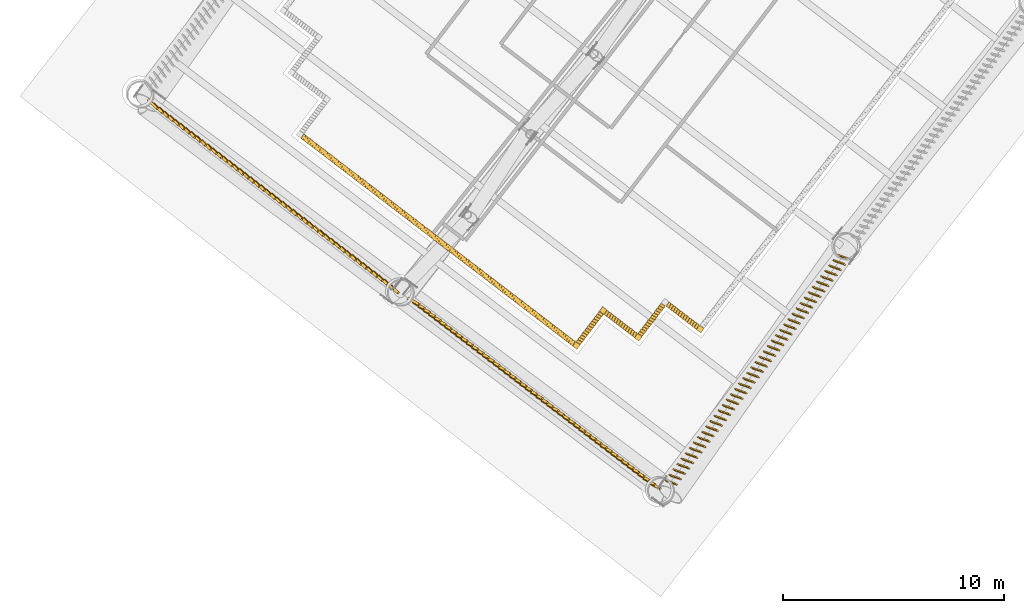
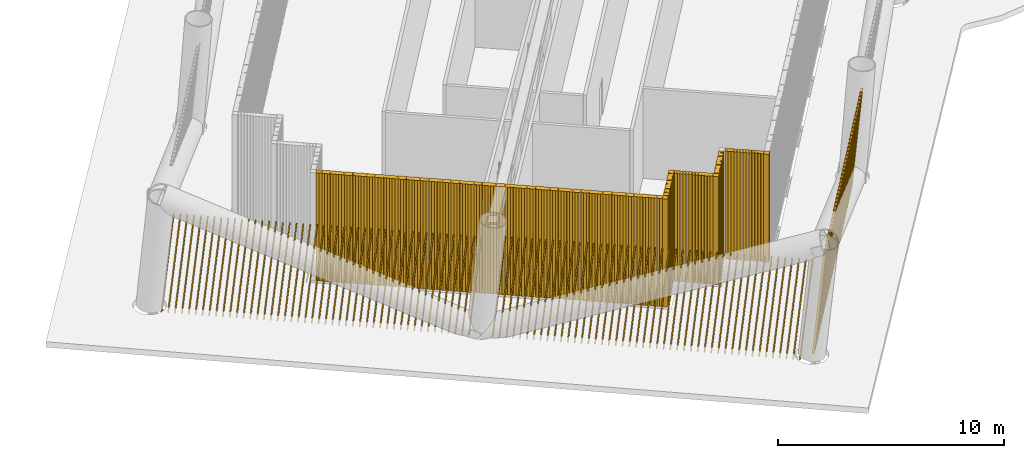
# One storey, part 35 of 48: 12 shading devices.
"""IFC4 building model written with IfcOpenShell, lengths in metres."""

from ifc_helpers import new_model, si_unit, direction, frame, frame_2d, origin, origin_2d, place, context, subcontext, project, spatial, rectangle, composite_profile, extrude, material, type_object, element, save


model = new_model("IFC4")

# Units and contexts
model_context = context("Model", 3, precision=1e-05, world=origin(), true_north=direction((0.0, 1.0)))
body_context = subcontext(model_context, "Body", "Model", "MODEL_VIEW")
ifc_project = project(units=[si_unit("LENGTHUNIT", "METRE"), si_unit("AREAUNIT", "SQUARE_METRE"), si_unit("VOLUMEUNIT", "CUBIC_METRE"), si_unit("PLANEANGLEUNIT", "RADIAN"), si_unit("MASSUNIT", "GRAM", prefix="KILO")], contexts=[model_context])

# Site, building, storey
site_placement = place(None, origin())
site = spatial("IfcSite", under=ifc_project, at=site_placement, CompositionType="ELEMENT")
building_placement = place(site_placement, origin())
building = spatial("IfcBuilding", under=site, at=building_placement, Name="Tarsis Ring Headquarters", CompositionType="ELEMENT")
storey_placement = place(building_placement, frame((0.0, 0.0, 34.0)))
storey = spatial("IfcBuildingStorey", under=building, at=storey_placement, Name="L06", CompositionType="ELEMENT", Elevation=34.0)

# Shading devices
ifc_material_1 = material(Name="Aluminium louvre", Category="aluminium")
shading_device_type_1 = type_object("IfcShadingDeviceType", Name="Plant louvre fin", PredefinedType="USERDEFINED", material=ifc_material_1)
shading_device_1_placement = place(storey_placement, frame((-36.449462890625, -34.914306640625, 0.0), z_axis=(0.0, 0.0, 1.0), x_axis=(0.794414604565, -0.607384188889, 0.0)))
element("IfcShadingDevice", 1, at=shading_device_1_placement, inside=storey, type_object=shading_device_type_1, Name="Louvre L06-11", ObjectType="Louvre", PredefinedType="USERDEFINED", context=body_context, shape_type="SweptSolid", body=[
    extrude(composite_profile([rectangle(XDim=0.1201171875, YDim=0.239990234375, at=frame_2d((0.076171875, 0.0), x_axis=(0.990268068742, 0.13917310096))), rectangle(XDim=0.1201171875, YDim=0.239990234375, at=frame_2d((0.201904296875, 0.0), x_axis=(0.990268068742, 0.13917310096))), rectangle(XDim=0.1201171875, YDim=0.239990234375, at=frame_2d((0.327880859375, 0.0), x_axis=(0.990268068742, 0.13917310096))), rectangle(XDim=0.1201171875, YDim=0.239990234375, at=frame_2d((0.45361328125, 0.0), x_axis=(0.990268068742, 0.13917310096))), rectangle(XDim=0.1201171875, YDim=0.239990234375, at=frame_2d((0.579345703125, 0.0), x_axis=(0.990268068742, 0.13917310096))), rectangle(XDim=0.1201171875, YDim=0.239990234375, at=frame_2d((0.705078125, 0.0), x_axis=(0.990268068742, 0.13917310096))), rectangle(XDim=0.1201171875, YDim=0.239990234375, at=frame_2d((0.8310546875, 0.0), x_axis=(0.990268068742, 0.13917310096))), rectangle(XDim=0.1201171875, YDim=0.239990234375, at=frame_2d((0.956787109375, 0.0), x_axis=(0.990268068742, 0.13917310096))), rectangle(XDim=0.1201171875, YDim=0.239990234375, at=frame_2d((1.08251953125, 0.0), x_axis=(0.990268068742, 0.13917310096))), rectangle(XDim=0.1201171875, YDim=0.239990234375, at=frame_2d((1.208251953125, 0.0), x_axis=(0.990268068742, 0.13917310096))), rectangle(XDim=0.1201171875, YDim=0.239990234375, at=frame_2d((1.334228515625, 0.0), x_axis=(0.990268068742, 0.13917310096))), rectangle(XDim=0.1201171875, YDim=0.239990234375, at=frame_2d((1.4599609375, 0.0), x_axis=(0.990268068742, 0.13917310096))), rectangle(XDim=0.1201171875, YDim=0.239990234375, at=frame_2d((1.585693359375, 0.0), x_axis=(0.990268068742, 0.13917310096))), rectangle(XDim=0.1201171875, YDim=0.239990234375, at=frame_2d((1.711669921875, 0.0), x_axis=(0.990268068742, 0.13917310096))), rectangle(XDim=0.1201171875, YDim=0.239990234375, at=frame_2d((1.83740234375, 0.0), x_axis=(0.990268068742, 0.13917310096))), rectangle(XDim=0.1201171875, YDim=0.239990234375, at=frame_2d((1.963134765625, 0.0), x_axis=(0.990268068742, 0.13917310096))), rectangle(XDim=0.1201171875, YDim=0.239990234375, at=frame_2d((2.0888671875, 0.0), x_axis=(0.990268068742, 0.13917310096))), rectangle(XDim=0.1201171875, YDim=0.239990234375, at=frame_2d((2.21484375, 0.0), x_axis=(0.990268068742, 0.13917310096))), rectangle(XDim=0.1201171875, YDim=0.239990234375, at=frame_2d((2.340576171875, 0.0), x_axis=(0.990268068742, 0.13917310096))), rectangle(XDim=0.1201171875, YDim=0.239990234375, at=frame_2d((2.46630859375, 0.0), x_axis=(0.990268068742, 0.13917310096))), rectangle(XDim=0.1201171875, YDim=0.239990234375, at=frame_2d((2.592041015625, 0.0), x_axis=(0.990268068742, 0.13917310096))), rectangle(XDim=0.1201171875, YDim=0.239990234375, at=frame_2d((2.718017578125, 0.0), x_axis=(0.990268068742, 0.13917310096))), rectangle(XDim=0.1201171875, YDim=0.239990234375, at=frame_2d((2.84375, 0.0), x_axis=(0.990268068742, 0.13917310096))), rectangle(XDim=0.1201171875, YDim=0.239990234375, at=frame_2d((2.969482421875, 0.0), x_axis=(0.990268068742, 0.13917310096))), rectangle(XDim=0.1201171875, YDim=0.239990234375, at=frame_2d((3.09521484375, 0.0), x_axis=(0.990268068742, 0.13917310096))), rectangle(XDim=0.1201171875, YDim=0.239990234375, at=frame_2d((3.22119140625, 0.0), x_axis=(0.990268068742, 0.13917310096))), rectangle(XDim=0.1201171875, YDim=0.239990234375, at=frame_2d((3.346923828125, 0.0), x_axis=(0.990268068742, 0.13917310096))), rectangle(XDim=0.1201171875, YDim=0.239990234375, at=frame_2d((3.47265625, 0.0), x_axis=(0.990268068742, 0.13917310096))), rectangle(XDim=0.1201171875, YDim=0.239990234375, at=frame_2d((3.5986328125, 0.0), x_axis=(0.990268068742, 0.13917310096))), rectangle(XDim=0.1201171875, YDim=0.239990234375, at=frame_2d((3.724365234375, 0.0), x_axis=(0.990268068742, 0.13917310096))), rectangle(XDim=0.1201171875, YDim=0.239990234375, at=frame_2d((3.85009765625, 0.0), x_axis=(0.990268068742, 0.13917310096))), rectangle(XDim=0.1201171875, YDim=0.239990234375, at=frame_2d((3.975830078125, 0.0), x_axis=(0.990268068742, 0.13917310096))), rectangle(XDim=0.1201171875, YDim=0.239990234375, at=frame_2d((4.101806640625, 0.0), x_axis=(0.990268068742, 0.13917310096))), rectangle(XDim=0.1201171875, YDim=0.239990234375, at=frame_2d((4.2275390625, 0.0), x_axis=(0.990268068742, 0.13917310096))), rectangle(XDim=0.1201171875, YDim=0.239990234375, at=frame_2d((4.353271484375, 0.0), x_axis=(0.990268068742, 0.13917310096))), rectangle(XDim=0.1201171875, YDim=0.239990234375, at=frame_2d((4.47900390625, 0.0), x_axis=(0.990268068742, 0.13917310096))), rectangle(XDim=0.1201171875, YDim=0.239990234375, at=frame_2d((4.60498046875, 0.0), x_axis=(0.990268068742, 0.13917310096))), rectangle(XDim=0.1201171875, YDim=0.239990234375, at=frame_2d((4.730712890625, 0.0), x_axis=(0.990268068742, 0.13917310096))), rectangle(XDim=0.1201171875, YDim=0.239990234375, at=frame_2d((4.8564453125, 0.0), x_axis=(0.990268068742, 0.13917310096))), rectangle(XDim=0.1201171875, YDim=0.239990234375, at=frame_2d((4.982421875, 0.0), x_axis=(0.990268068742, 0.13917310096))), rectangle(XDim=0.1201171875, YDim=0.239990234375, at=frame_2d((5.108154296875, 0.0), x_axis=(0.990268068742, 0.13917310096))), rectangle(XDim=0.1201171875, YDim=0.239990234375, at=frame_2d((5.23388671875, 0.0), x_axis=(0.990268068742, 0.13917310096))), rectangle(XDim=0.1201171875, YDim=0.239990234375, at=frame_2d((5.359619140625, 0.0), x_axis=(0.990268068742, 0.13917310096))), rectangle(XDim=0.1201171875, YDim=0.239990234375, at=frame_2d((5.485595703125, 0.0), x_axis=(0.990268068742, 0.13917310096))), rectangle(XDim=0.1201171875, YDim=0.239990234375, at=frame_2d((5.611328125, 0.0), x_axis=(0.990268068742, 0.13917310096))), rectangle(XDim=0.1201171875, YDim=0.239990234375, at=frame_2d((5.737060546875, 0.0), x_axis=(0.990268068742, 0.13917310096))), rectangle(XDim=0.1201171875, YDim=0.239990234375, at=frame_2d((5.86279296875, 0.0), x_axis=(0.990268068742, 0.13917310096))), rectangle(XDim=0.1201171875, YDim=0.239990234375, at=frame_2d((5.98876953125, 0.0), x_axis=(0.990268068742, 0.13917310096))), rectangle(XDim=0.1201171875, YDim=0.239990234375, at=frame_2d((6.114501953125, 0.0), x_axis=(0.990268068742, 0.13917310096))), rectangle(XDim=0.1201171875, YDim=0.239990234375, at=frame_2d((6.240234375, 0.0), x_axis=(0.990268068742, 0.13917310096))), rectangle(XDim=0.1201171875, YDim=0.239990234375, at=frame_2d((6.3662109375, 0.0), x_axis=(0.990268068742, 0.13917310096))), rectangle(XDim=0.1201171875, YDim=0.239990234375, at=frame_2d((6.491943359375, 0.0), x_axis=(0.990268068742, 0.13917310096))), rectangle(XDim=0.1201171875, YDim=0.239990234375, at=frame_2d((6.61767578125, 0.0), x_axis=(0.990268068742, 0.13917310096))), rectangle(XDim=0.1201171875, YDim=0.239990234375, at=frame_2d((6.743408203125, 0.0), x_axis=(0.990268068742, 0.13917310096))), rectangle(XDim=0.1201171875, YDim=0.239990234375, at=frame_2d((6.869384765625, 0.0), x_axis=(0.990268068742, 0.13917310096))), rectangle(XDim=0.1201171875, YDim=0.239990234375, at=frame_2d((6.9951171875, 0.0), x_axis=(0.990268068742, 0.13917310096))), rectangle(XDim=0.1201171875, YDim=0.239990234375, at=frame_2d((7.120849609375, 0.0), x_axis=(0.990268068742, 0.13917310096))), rectangle(XDim=0.1201171875, YDim=0.239990234375, at=frame_2d((7.24658203125, 0.0), x_axis=(0.990268068742, 0.13917310096))), rectangle(XDim=0.1201171875, YDim=0.239990234375, at=frame_2d((7.37255859375, 0.0), x_axis=(0.990268068742, 0.13917310096))), rectangle(XDim=0.1201171875, YDim=0.239990234375, at=frame_2d((7.498291015625, 0.0), x_axis=(0.990268068742, 0.13917310096))), rectangle(XDim=0.1201171875, YDim=0.239990234375, at=frame_2d((7.6240234375, 0.0), x_axis=(0.990268068742, 0.13917310096))), rectangle(XDim=0.1201171875, YDim=0.239990234375, at=frame_2d((7.75, 0.0), x_axis=(0.990268068742, 0.13917310096))), rectangle(XDim=0.1201171875, YDim=0.239990234375, at=frame_2d((7.875732421875, 0.0), x_axis=(0.990268068742, 0.13917310096))), rectangle(XDim=0.1201171875, YDim=0.239990234375, at=frame_2d((8.00146484375, 0.0), x_axis=(0.990268068742, 0.13917310096))), rectangle(XDim=0.1201171875, YDim=0.239990234375, at=frame_2d((8.127197265625, 0.0), x_axis=(0.990268068742, 0.13917310096))), rectangle(XDim=0.1201171875, YDim=0.239990234375, at=frame_2d((8.253173828125, 0.0), x_axis=(0.990268068742, 0.13917310096))), rectangle(XDim=0.1201171875, YDim=0.239990234375, at=frame_2d((8.37890625, 0.0), x_axis=(0.990268068742, 0.13917310096))), rectangle(XDim=0.1201171875, YDim=0.239990234375, at=frame_2d((8.504638671875, 0.0), x_axis=(0.990268068742, 0.13917310096))), rectangle(XDim=0.1201171875, YDim=0.239990234375, at=frame_2d((8.63037109375, 0.0), x_axis=(0.990268068742, 0.13917310096))), rectangle(XDim=0.1201171875, YDim=0.239990234375, at=frame_2d((8.75634765625, 0.0), x_axis=(0.990268068742, 0.13917310096))), rectangle(XDim=0.1201171875, YDim=0.239990234375, at=frame_2d((8.882080078125, 0.0), x_axis=(0.990268068742, 0.13917310096))), rectangle(XDim=0.1201171875, YDim=0.239990234375, at=frame_2d((9.0078125, 0.0), x_axis=(0.990268068742, 0.13917310096))), rectangle(XDim=0.1201171875, YDim=0.239990234375, at=frame_2d((9.133544921875, 0.0), x_axis=(0.990268068742, 0.13917310096))), rectangle(XDim=0.1201171875, YDim=0.239990234375, at=frame_2d((9.259521484375, 0.0), x_axis=(0.990268068742, 0.13917310096))), rectangle(XDim=0.1201171875, YDim=0.239990234375, at=frame_2d((9.38525390625, 0.0), x_axis=(0.990268068742, 0.13917310096))), rectangle(XDim=0.1201171875, YDim=0.239990234375, at=frame_2d((9.510986328125, 0.0), x_axis=(0.990268068742, 0.13917310096))), rectangle(XDim=0.1201171875, YDim=0.239990234375, at=frame_2d((9.636962890625, 0.0), x_axis=(0.990268068742, 0.13917310096))), rectangle(XDim=0.1201171875, YDim=0.239990234375, at=frame_2d((9.7626953125, 0.0), x_axis=(0.990268068742, 0.13917310096))), rectangle(XDim=0.1201171875, YDim=0.239990234375, at=frame_2d((9.888427734375, 0.0), x_axis=(0.990268068742, 0.13917310096))), rectangle(XDim=0.1201171875, YDim=0.239990234375, at=frame_2d((10.01416015625, 0.0), x_axis=(0.990268068742, 0.13917310096))), rectangle(XDim=0.1201171875, YDim=0.239990234375, at=frame_2d((10.14013671875, 0.0), x_axis=(0.990268068742, 0.13917310096))), rectangle(XDim=0.1201171875, YDim=0.239990234375, at=frame_2d((10.265869140625, 0.0), x_axis=(0.990268068742, 0.13917310096))), rectangle(XDim=0.1201171875, YDim=0.239990234375, at=frame_2d((10.3916015625, 0.0), x_axis=(0.990268068742, 0.13917310096))), rectangle(XDim=0.1201171875, YDim=0.239990234375, at=frame_2d((10.517333984375, 0.0), x_axis=(0.990268068742, 0.13917310096))), rectangle(XDim=0.1201171875, YDim=0.239990234375, at=frame_2d((10.643310546875, 0.0), x_axis=(0.990268068742, 0.13917310096))), rectangle(XDim=0.1201171875, YDim=0.239990234375, at=frame_2d((10.76904296875, 0.0), x_axis=(0.990268068742, 0.13917310096))), rectangle(XDim=0.1201171875, YDim=0.239990234375, at=frame_2d((10.894775390625, 0.0), x_axis=(0.990268068742, 0.13917310096))), rectangle(XDim=0.1201171875, YDim=0.239990234375, at=frame_2d((11.020751953125, 0.0), x_axis=(0.990268068742, 0.13917310096))), rectangle(XDim=0.1201171875, YDim=0.239990234375, at=frame_2d((11.146484375, 0.0), x_axis=(0.990268068742, 0.13917310096))), rectangle(XDim=0.1201171875, YDim=0.239990234375, at=frame_2d((11.272216796875, 0.0), x_axis=(0.990268068742, 0.13917310096))), rectangle(XDim=0.1201171875, YDim=0.239990234375, at=frame_2d((11.39794921875, 0.0), x_axis=(0.990268068742, 0.13917310096))), rectangle(XDim=0.1201171875, YDim=0.239990234375, at=frame_2d((11.52392578125, 0.0), x_axis=(0.990268068742, 0.13917310096))), rectangle(XDim=0.1201171875, YDim=0.239990234375, at=frame_2d((11.649658203125, 0.0), x_axis=(0.990268068742, 0.13917310096))), rectangle(XDim=0.1201171875, YDim=0.239990234375, at=frame_2d((11.775390625, 0.0), x_axis=(0.990268068742, 0.13917310096))), rectangle(XDim=0.1201171875, YDim=0.239990234375, at=frame_2d((11.901123046875, 0.0), x_axis=(0.990268068742, 0.13917310096))), rectangle(XDim=0.1201171875, YDim=0.239990234375, at=frame_2d((12.027099609375, 0.0), x_axis=(0.990268068742, 0.13917310096))), rectangle(XDim=0.1201171875, YDim=0.239990234375, at=frame_2d((12.15283203125, 0.0), x_axis=(0.990268068742, 0.13917310096))), rectangle(XDim=0.1201171875, YDim=0.239990234375, at=frame_2d((12.278564453125, 0.0), x_axis=(0.990268068742, 0.13917310096))), rectangle(XDim=0.1201171875, YDim=0.239990234375, at=frame_2d((12.404541015625, 0.0), x_axis=(0.990268068742, 0.13917310096))), rectangle(XDim=0.1201171875, YDim=0.239990234375, at=frame_2d((12.5302734375, 0.0), x_axis=(0.990268068742, 0.13917310096))), rectangle(XDim=0.1201171875, YDim=0.239990234375, at=frame_2d((12.656005859375, 0.0), x_axis=(0.990268068742, 0.13917310096))), rectangle(XDim=0.1201171875, YDim=0.239990234375, at=frame_2d((12.78173828125, 0.0), x_axis=(0.990268068742, 0.13917310096))), rectangle(XDim=0.1201171875, YDim=0.239990234375, at=frame_2d((12.90771484375, 0.0), x_axis=(0.990268068742, 0.13917310096))), rectangle(XDim=0.1201171875, YDim=0.239990234375, at=frame_2d((13.033447265625, 0.0), x_axis=(0.990268068742, 0.13917310096))), rectangle(XDim=0.1201171875, YDim=0.239990234375, at=frame_2d((13.1591796875, 0.0), x_axis=(0.990268068742, 0.13917310096))), rectangle(XDim=0.1201171875, YDim=0.239990234375, at=frame_2d((13.284912109375, 0.0), x_axis=(0.990268068742, 0.13917310096))), rectangle(XDim=0.1201171875, YDim=0.239990234375, at=frame_2d((13.410888671875, 0.0), x_axis=(0.990268068742, 0.13917310096))), rectangle(XDim=0.1201171875, YDim=0.239990234375, at=frame_2d((13.53662109375, 0.0), x_axis=(0.990268068742, 0.13917310096))), rectangle(XDim=0.1201171875, YDim=0.239990234375, at=frame_2d((13.662353515625, 0.0), x_axis=(0.990268068742, 0.13917310096))), rectangle(XDim=0.1201171875, YDim=0.239990234375, at=frame_2d((13.7880859375, 0.0), x_axis=(0.990268068742, 0.13917310096))), rectangle(XDim=0.1201171875, YDim=0.239990234375, at=frame_2d((13.9140625, 0.0), x_axis=(0.990268068742, 0.13917310096))), rectangle(XDim=0.1201171875, YDim=0.239990234375, at=frame_2d((14.039794921875, 0.0), x_axis=(0.990268068742, 0.13917310096))), rectangle(XDim=0.1201171875, YDim=0.239990234375, at=frame_2d((14.16552734375, 0.0), x_axis=(0.990268068742, 0.13917310096))), rectangle(XDim=0.1201171875, YDim=0.239990234375, at=frame_2d((14.29150390625, 0.0), x_axis=(0.990268068742, 0.13917310096))), rectangle(XDim=0.1201171875, YDim=0.239990234375, at=frame_2d((14.417236328125, 0.0), x_axis=(0.990268068742, 0.13917310096))), rectangle(XDim=0.1201171875, YDim=0.239990234375, at=frame_2d((14.54296875, 0.0), x_axis=(0.990268068742, 0.13917310096))), rectangle(XDim=0.1201171875, YDim=0.239990234375, at=frame_2d((14.668701171875, 0.0), x_axis=(0.990268068742, 0.13917310096))), rectangle(XDim=0.1201171875, YDim=0.239990234375, at=frame_2d((14.794677734375, 0.0), x_axis=(0.990268068742, 0.13917310096))), rectangle(XDim=0.1201171875, YDim=0.239990234375, at=frame_2d((14.92041015625, 0.0), x_axis=(0.990268068742, 0.13917310096))), rectangle(XDim=0.1201171875, YDim=0.239990234375, at=frame_2d((15.046142578125, 0.0), x_axis=(0.990268068742, 0.13917310096))), rectangle(XDim=0.1201171875, YDim=0.239990234375, at=frame_2d((15.171875, 0.0), x_axis=(0.990268068742, 0.13917310096))), rectangle(XDim=0.1201171875, YDim=0.239990234375, at=frame_2d((15.2978515625, 0.0), x_axis=(0.990268068742, 0.13917310096))), rectangle(XDim=0.1201171875, YDim=0.239990234375, at=frame_2d((15.423583984375, 0.0), x_axis=(0.990268068742, 0.13917310096)))]), origin(), (0.0, 0.0, 1.0), 5.840087890625),
])
for number, where, z_axis, x_axis, name in (
    (2, (-23.9609375, -44.30517578125, 0.0), (0.0, 0.0, 1.0), (0.607421875, 0.794363839286, 0.0), "Louvre L06-12"),
    (3, (-22.722900390625, -42.8916015625, 0.0), (0.0, 0.0, 1.0), (0.794392523364, -0.607337146045, 0.0), "Louvre L06-13"),
    (4, (-21.157470703125, -43.93115234375, 0.0), (0.0, 0.0, 1.0), (0.607421875, 0.794363839286, 0.0), "Louvre L06-14"),
    (5, (-19.919189453125, -42.517578125, 0.0), (0.0, 0.0, 1.0), (0.794474675596, -0.607367099205, 0.0), "Louvre L06-15"),
):
    element("IfcShadingDevice", number, at=place(storey_placement, frame(where, z_axis=z_axis, x_axis=x_axis)), inside=storey, type_object=shading_device_type_1, Name=name, ObjectType="Louvre", PredefinedType="USERDEFINED", context=body_context, shape_type="SweptSolid", body=[
        extrude(composite_profile([rectangle(XDim=0.1201171875, YDim=0.239990234375, at=frame_2d((0.078125, 0.0), x_axis=(0.987688340595, 0.15643446504))), rectangle(XDim=0.1201171875, YDim=0.239990234375, at=frame_2d((0.2109375, 0.0), x_axis=(0.987688340595, 0.15643446504))), rectangle(XDim=0.1201171875, YDim=0.239990234375, at=frame_2d((0.34375, 0.0), x_axis=(0.987688340595, 0.15643446504))), rectangle(XDim=0.1201171875, YDim=0.239990234375, at=frame_2d((0.4765625, 0.0), x_axis=(0.987688340595, 0.15643446504))), rectangle(XDim=0.1201171875, YDim=0.239990234375, at=frame_2d((0.609375, 0.0), x_axis=(0.987688340595, 0.15643446504))), rectangle(XDim=0.1201171875, YDim=0.239990234375, at=frame_2d((0.7421875, 0.0), x_axis=(0.987688340595, 0.15643446504))), rectangle(XDim=0.1201171875, YDim=0.239990234375, at=frame_2d((0.875, 0.0), x_axis=(0.987688340595, 0.15643446504))), rectangle(XDim=0.1201171875, YDim=0.239990234375, at=frame_2d((1.0078125, 0.0), x_axis=(0.987688340595, 0.15643446504))), rectangle(XDim=0.1201171875, YDim=0.239990234375, at=frame_2d((1.140625, 0.0), x_axis=(0.987688340595, 0.15643446504))), rectangle(XDim=0.1201171875, YDim=0.239990234375, at=frame_2d((1.2734375, 0.0), x_axis=(0.987688340595, 0.15643446504))), rectangle(XDim=0.1201171875, YDim=0.239990234375, at=frame_2d((1.40625, 0.0), x_axis=(0.987688340595, 0.15643446504))), rectangle(XDim=0.1201171875, YDim=0.239990234375, at=frame_2d((1.5390625, 0.0), x_axis=(0.987688340595, 0.15643446504))), rectangle(XDim=0.1201171875, YDim=0.239990234375, at=frame_2d((1.671875, 0.0), x_axis=(0.987688340595, 0.15643446504)))]), origin(), (0.0, 0.0, 1.0), 5.840087890625),
    ])
ifc_material_2 = material(Name="Terracotta baguette", Category="masonry")
shading_device_type_2 = type_object("IfcShadingDeviceType", Name="Terracotta baguette screen", PredefinedType="USERDEFINED", material=ifc_material_2)
shading_device_2_placement = place(storey_placement, frame((-43.4296875, -33.259521484375, -0.300048828125), z_axis=(0.0, 0.0, 1.0), x_axis=(0.79441319039, -0.607366521601, 0.0)))
element("IfcShadingDevice", 6, at=shading_device_2_placement, inside=storey, type_object=shading_device_type_2, Name="Baguette screen L06-03", ObjectType="Terracotta baguette screen", PredefinedType="USERDEFINED", context=body_context, shape_type="SweptSolid", body=[
    extrude(composite_profile([rectangle(XDim=0.06005859375, YDim=0.1201171875, at=frame_2d((0.030029296875, 0.0))), rectangle(XDim=0.06005859375, YDim=0.1201171875, at=frame_2d((0.33544921875, 0.0))), rectangle(XDim=0.06005859375, YDim=0.1201171875, at=frame_2d((0.640625, 0.0))), rectangle(XDim=0.06005859375, YDim=0.1201171875, at=frame_2d((0.946044921875, 0.0))), rectangle(XDim=0.06005859375, YDim=0.1201171875, at=frame_2d((1.25146484375, 0.0))), rectangle(XDim=0.06005859375, YDim=0.1201171875, at=frame_2d((1.556640625, 0.0))), rectangle(XDim=0.06005859375, YDim=0.1201171875, at=frame_2d((1.862060546875, 0.0))), rectangle(XDim=0.06005859375, YDim=0.1201171875, at=frame_2d((2.16748046875, 0.0))), rectangle(XDim=0.06005859375, YDim=0.1201171875, at=frame_2d((2.47265625, 0.0))), rectangle(XDim=0.06005859375, YDim=0.1201171875, at=frame_2d((2.778076171875, 0.0))), rectangle(XDim=0.06005859375, YDim=0.1201171875, at=frame_2d((3.08349609375, 0.0))), rectangle(XDim=0.06005859375, YDim=0.1201171875, at=frame_2d((3.388671875, 0.0))), rectangle(XDim=0.06005859375, YDim=0.1201171875, at=frame_2d((3.694091796875, 0.0))), rectangle(XDim=0.06005859375, YDim=0.1201171875, at=frame_2d((3.99951171875, 0.0))), rectangle(XDim=0.06005859375, YDim=0.1201171875, at=frame_2d((4.3046875, 0.0))), rectangle(XDim=0.06005859375, YDim=0.1201171875, at=frame_2d((4.610107421875, 0.0))), rectangle(XDim=0.06005859375, YDim=0.1201171875, at=frame_2d((4.91552734375, 0.0))), rectangle(XDim=0.06005859375, YDim=0.1201171875, at=frame_2d((5.220703125, 0.0))), rectangle(XDim=0.06005859375, YDim=0.1201171875, at=frame_2d((5.526123046875, 0.0))), rectangle(XDim=0.06005859375, YDim=0.1201171875, at=frame_2d((5.83154296875, 0.0))), rectangle(XDim=0.06005859375, YDim=0.1201171875, at=frame_2d((6.13671875, 0.0))), rectangle(XDim=0.06005859375, YDim=0.1201171875, at=frame_2d((6.442138671875, 0.0))), rectangle(XDim=0.06005859375, YDim=0.1201171875, at=frame_2d((6.74755859375, 0.0))), rectangle(XDim=0.06005859375, YDim=0.1201171875, at=frame_2d((7.052734375, 0.0))), rectangle(XDim=0.06005859375, YDim=0.1201171875, at=frame_2d((7.358154296875, 0.0))), rectangle(XDim=0.06005859375, YDim=0.1201171875, at=frame_2d((7.66357421875, 0.0))), rectangle(XDim=0.06005859375, YDim=0.1201171875, at=frame_2d((7.96875, 0.0))), rectangle(XDim=0.06005859375, YDim=0.1201171875, at=frame_2d((8.274169921875, 0.0))), rectangle(XDim=0.06005859375, YDim=0.1201171875, at=frame_2d((8.57958984375, 0.0))), rectangle(XDim=0.06005859375, YDim=0.1201171875, at=frame_2d((8.884765625, 0.0))), rectangle(XDim=0.06005859375, YDim=0.1201171875, at=frame_2d((9.190185546875, 0.0))), rectangle(XDim=0.06005859375, YDim=0.1201171875, at=frame_2d((9.49560546875, 0.0))), rectangle(XDim=0.06005859375, YDim=0.1201171875, at=frame_2d((9.80078125, 0.0))), rectangle(XDim=0.06005859375, YDim=0.1201171875, at=frame_2d((10.106201171875, 0.0))), rectangle(XDim=0.06005859375, YDim=0.1201171875, at=frame_2d((10.41162109375, 0.0))), rectangle(XDim=0.06005859375, YDim=0.1201171875, at=frame_2d((10.716796875, 0.0))), rectangle(XDim=0.06005859375, YDim=0.1201171875, at=frame_2d((11.022216796875, 0.0))), rectangle(XDim=0.06005859375, YDim=0.1201171875, at=frame_2d((11.32763671875, 0.0))), rectangle(XDim=0.06005859375, YDim=0.1201171875, at=frame_2d((11.6328125, 0.0))), rectangle(XDim=0.06005859375, YDim=0.1201171875, at=frame_2d((11.938232421875, 0.0))), rectangle(XDim=0.06005859375, YDim=0.1201171875, at=frame_2d((12.24365234375, 0.0))), rectangle(XDim=0.06005859375, YDim=0.1201171875, at=frame_2d((12.548828125, 0.0))), rectangle(XDim=0.06005859375, YDim=0.1201171875, at=frame_2d((12.854248046875, 0.0))), rectangle(XDim=0.06005859375, YDim=0.1201171875, at=frame_2d((13.15966796875, 0.0))), rectangle(XDim=0.06005859375, YDim=0.1201171875, at=frame_2d((13.46484375, 0.0))), rectangle(XDim=0.06005859375, YDim=0.1201171875, at=frame_2d((13.770263671875, 0.0)))]), origin(), (0.102815807016, -0.013862005885, 0.99460381792), 5.381591796875),
])
shading_device_3_placement = place(storey_placement, frame((-31.672119140625, -42.248779296875, -0.300048828125), z_axis=(0.0, 0.0, 1.0), x_axis=(0.794409553295, -0.607377266696, 0.0)))
element("IfcShadingDevice", 7, at=shading_device_3_placement, inside=storey, type_object=shading_device_type_2, Name="Baguette screen L06-04", ObjectType="Terracotta baguette screen", PredefinedType="USERDEFINED", context=body_context, shape_type="SweptSolid", body=[
    extrude(composite_profile([rectangle(XDim=0.06005859375, YDim=0.1201171875, at=frame_2d((0.030029296875, 0.0))), rectangle(XDim=0.06005859375, YDim=0.1201171875, at=frame_2d((0.33544921875, 0.0))), rectangle(XDim=0.06005859375, YDim=0.1201171875, at=frame_2d((0.640625, 0.0))), rectangle(XDim=0.06005859375, YDim=0.1201171875, at=frame_2d((0.946044921875, 0.0))), rectangle(XDim=0.06005859375, YDim=0.1201171875, at=frame_2d((1.25146484375, 0.0))), rectangle(XDim=0.06005859375, YDim=0.1201171875, at=frame_2d((1.556640625, 0.0))), rectangle(XDim=0.06005859375, YDim=0.1201171875, at=frame_2d((1.862060546875, 0.0))), rectangle(XDim=0.06005859375, YDim=0.1201171875, at=frame_2d((2.16748046875, 0.0))), rectangle(XDim=0.06005859375, YDim=0.1201171875, at=frame_2d((2.47265625, 0.0))), rectangle(XDim=0.06005859375, YDim=0.1201171875, at=frame_2d((2.778076171875, 0.0))), rectangle(XDim=0.06005859375, YDim=0.1201171875, at=frame_2d((3.08349609375, 0.0))), rectangle(XDim=0.06005859375, YDim=0.1201171875, at=frame_2d((3.388671875, 0.0))), rectangle(XDim=0.06005859375, YDim=0.1201171875, at=frame_2d((3.694091796875, 0.0))), rectangle(XDim=0.06005859375, YDim=0.1201171875, at=frame_2d((3.99951171875, 0.0))), rectangle(XDim=0.06005859375, YDim=0.1201171875, at=frame_2d((4.3046875, 0.0))), rectangle(XDim=0.06005859375, YDim=0.1201171875, at=frame_2d((4.610107421875, 0.0))), rectangle(XDim=0.06005859375, YDim=0.1201171875, at=frame_2d((4.91552734375, 0.0))), rectangle(XDim=0.06005859375, YDim=0.1201171875, at=frame_2d((5.220703125, 0.0))), rectangle(XDim=0.06005859375, YDim=0.1201171875, at=frame_2d((5.526123046875, 0.0))), rectangle(XDim=0.06005859375, YDim=0.1201171875, at=frame_2d((5.83154296875, 0.0))), rectangle(XDim=0.06005859375, YDim=0.1201171875, at=frame_2d((6.13671875, 0.0))), rectangle(XDim=0.06005859375, YDim=0.1201171875, at=frame_2d((6.442138671875, 0.0))), rectangle(XDim=0.06005859375, YDim=0.1201171875, at=frame_2d((6.74755859375, 0.0))), rectangle(XDim=0.06005859375, YDim=0.1201171875, at=frame_2d((7.052734375, 0.0))), rectangle(XDim=0.06005859375, YDim=0.1201171875, at=frame_2d((7.358154296875, 0.0))), rectangle(XDim=0.06005859375, YDim=0.1201171875, at=frame_2d((7.66357421875, 0.0))), rectangle(XDim=0.06005859375, YDim=0.1201171875, at=frame_2d((7.96875, 0.0))), rectangle(XDim=0.06005859375, YDim=0.1201171875, at=frame_2d((8.274169921875, 0.0))), rectangle(XDim=0.06005859375, YDim=0.1201171875, at=frame_2d((8.57958984375, 0.0))), rectangle(XDim=0.06005859375, YDim=0.1201171875, at=frame_2d((8.884765625, 0.0))), rectangle(XDim=0.06005859375, YDim=0.1201171875, at=frame_2d((9.190185546875, 0.0))), rectangle(XDim=0.06005859375, YDim=0.1201171875, at=frame_2d((9.49560546875, 0.0))), rectangle(XDim=0.06005859375, YDim=0.1201171875, at=frame_2d((9.80078125, 0.0))), rectangle(XDim=0.06005859375, YDim=0.1201171875, at=frame_2d((10.106201171875, 0.0))), rectangle(XDim=0.06005859375, YDim=0.1201171875, at=frame_2d((10.41162109375, 0.0))), rectangle(XDim=0.06005859375, YDim=0.1201171875, at=frame_2d((10.716796875, 0.0))), rectangle(XDim=0.06005859375, YDim=0.1201171875, at=frame_2d((11.022216796875, 0.0))), rectangle(XDim=0.06005859375, YDim=0.1201171875, at=frame_2d((11.32763671875, 0.0))), rectangle(XDim=0.06005859375, YDim=0.1201171875, at=frame_2d((11.6328125, 0.0))), rectangle(XDim=0.06005859375, YDim=0.1201171875, at=frame_2d((11.938232421875, 0.0))), rectangle(XDim=0.06005859375, YDim=0.1201171875, at=frame_2d((12.24365234375, 0.0))), rectangle(XDim=0.06005859375, YDim=0.1201171875, at=frame_2d((12.548828125, 0.0))), rectangle(XDim=0.06005859375, YDim=0.1201171875, at=frame_2d((12.854248046875, 0.0))), rectangle(XDim=0.06005859375, YDim=0.1201171875, at=frame_2d((13.15966796875, 0.0))), rectangle(XDim=0.06005859375, YDim=0.1201171875, at=frame_2d((13.46484375, 0.0))), rectangle(XDim=0.06005859375, YDim=0.1201171875, at=frame_2d((13.770263671875, 0.0)))]), origin(), (0.102665446958, 0.01493762776, 0.994603777028), 5.381591796875),
])
shading_device_4_placement = place(storey_placement, frame((-20.00830078125, -50.537109375, -0.300048828125), z_axis=(0.0, 0.0, 1.0), x_axis=(0.607376009991, 0.794425416769, 0.0)))
element("IfcShadingDevice", 8, at=shading_device_4_placement, inside=storey, type_object=shading_device_type_2, Name="Baguette screen L06-05", ObjectType="Terracotta baguette screen", PredefinedType="USERDEFINED", context=body_context, shape_type="SweptSolid", body=[
    extrude(composite_profile([rectangle(XDim=0.06005859375, YDim=0.1201171875, at=frame_2d((0.030029296875, 0.0))), rectangle(XDim=0.06005859375, YDim=0.1201171875, at=frame_2d((0.335693359375, 0.0))), rectangle(XDim=0.06005859375, YDim=0.1201171875, at=frame_2d((0.6416015625, 0.0))), rectangle(XDim=0.06005859375, YDim=0.1201171875, at=frame_2d((0.947265625, 0.0))), rectangle(XDim=0.06005859375, YDim=0.1201171875, at=frame_2d((1.253173828125, 0.0))), rectangle(XDim=0.06005859375, YDim=0.1201171875, at=frame_2d((1.558837890625, 0.0))), rectangle(XDim=0.06005859375, YDim=0.1201171875, at=frame_2d((1.864501953125, 0.0))), rectangle(XDim=0.06005859375, YDim=0.1201171875, at=frame_2d((2.17041015625, 0.0))), rectangle(XDim=0.06005859375, YDim=0.1201171875, at=frame_2d((2.47607421875, 0.0))), rectangle(XDim=0.06005859375, YDim=0.1201171875, at=frame_2d((2.781982421875, 0.0))), rectangle(XDim=0.06005859375, YDim=0.1201171875, at=frame_2d((3.087646484375, 0.0))), rectangle(XDim=0.06005859375, YDim=0.1201171875, at=frame_2d((3.393310546875, 0.0))), rectangle(XDim=0.06005859375, YDim=0.1201171875, at=frame_2d((3.69921875, 0.0))), rectangle(XDim=0.06005859375, YDim=0.1201171875, at=frame_2d((4.0048828125, 0.0))), rectangle(XDim=0.06005859375, YDim=0.1201171875, at=frame_2d((4.310791015625, 0.0))), rectangle(XDim=0.06005859375, YDim=0.1201171875, at=frame_2d((4.616455078125, 0.0))), rectangle(XDim=0.06005859375, YDim=0.1201171875, at=frame_2d((4.922119140625, 0.0))), rectangle(XDim=0.06005859375, YDim=0.1201171875, at=frame_2d((5.22802734375, 0.0))), rectangle(XDim=0.06005859375, YDim=0.1201171875, at=frame_2d((5.53369140625, 0.0))), rectangle(XDim=0.06005859375, YDim=0.1201171875, at=frame_2d((5.839599609375, 0.0))), rectangle(XDim=0.06005859375, YDim=0.1201171875, at=frame_2d((6.145263671875, 0.0))), rectangle(XDim=0.06005859375, YDim=0.1201171875, at=frame_2d((6.451171875, 0.0))), rectangle(XDim=0.06005859375, YDim=0.1201171875, at=frame_2d((6.7568359375, 0.0))), rectangle(XDim=0.06005859375, YDim=0.1201171875, at=frame_2d((7.0625, 0.0))), rectangle(XDim=0.06005859375, YDim=0.1201171875, at=frame_2d((7.368408203125, 0.0))), rectangle(XDim=0.06005859375, YDim=0.1201171875, at=frame_2d((7.674072265625, 0.0))), rectangle(XDim=0.06005859375, YDim=0.1201171875, at=frame_2d((7.97998046875, 0.0))), rectangle(XDim=0.06005859375, YDim=0.1201171875, at=frame_2d((8.28564453125, 0.0))), rectangle(XDim=0.06005859375, YDim=0.1201171875, at=frame_2d((8.59130859375, 0.0))), rectangle(XDim=0.06005859375, YDim=0.1201171875, at=frame_2d((8.897216796875, 0.0))), rectangle(XDim=0.06005859375, YDim=0.1201171875, at=frame_2d((9.202880859375, 0.0))), rectangle(XDim=0.06005859375, YDim=0.1201171875, at=frame_2d((9.5087890625, 0.0))), rectangle(XDim=0.06005859375, YDim=0.1201171875, at=frame_2d((9.814453125, 0.0))), rectangle(XDim=0.06005859375, YDim=0.1201171875, at=frame_2d((10.1201171875, 0.0))), rectangle(XDim=0.06005859375, YDim=0.1201171875, at=frame_2d((10.426025390625, 0.0))), rectangle(XDim=0.06005859375, YDim=0.1201171875, at=frame_2d((10.731689453125, 0.0))), rectangle(XDim=0.06005859375, YDim=0.1201171875, at=frame_2d((11.03759765625, 0.0))), rectangle(XDim=0.06005859375, YDim=0.1201171875, at=frame_2d((11.34326171875, 0.0))), rectangle(XDim=0.06005859375, YDim=0.1201171875, at=frame_2d((11.64892578125, 0.0))), rectangle(XDim=0.06005859375, YDim=0.1201171875, at=frame_2d((11.954833984375, 0.0))), rectangle(XDim=0.06005859375, YDim=0.1201171875, at=frame_2d((12.260498046875, 0.0))), rectangle(XDim=0.06005859375, YDim=0.1201171875, at=frame_2d((12.56640625, 0.0))), rectangle(XDim=0.06005859375, YDim=0.1201171875, at=frame_2d((12.8720703125, 0.0)))]), origin(), (0.029294418342, -0.089153638731, 0.995586995574), 5.376220703125),
])
shading_device_type_3 = type_object("IfcShadingDeviceType", Name="Terracotta corner baguette 250x250", PredefinedType="USERDEFINED", material=ifc_material_2)
for number, where, z_axis, x_axis, name in (
    (9, (-24.036865234375, -44.404541015625, 0.0), (0.0, 0.0, 1.0), (0.794414631136, -0.607375825858, 0.0), "Corner baguette L06-12"),
    (10, (-22.822021484375, -42.815673828125, 0.0), (0.0, 0.0, 1.0), (0.607375922914, 0.794414556931, 0.0), "Corner baguette L06-13"),
    (11, (-21.233154296875, -44.030517578125, 0.0), (0.0, 0.0, 1.0), (0.794414927956, -0.607375437634, 0.0), "Corner baguette L06-14"),
    (12, (-18.4296875, -43.65625, 0.0), (0.0, 0.0, 1.0), (0.794414737143, -0.607375687207, 0.0), "Corner baguette L06-16"),
):
    element("IfcShadingDevice", number, at=place(storey_placement, frame(where, z_axis=z_axis, x_axis=x_axis)), inside=storey, type_object=shading_device_type_3, Name=name, ObjectType="Terracotta corner baguette", PredefinedType="USERDEFINED", context=body_context, shape_type="SweptSolid", body=[
        extrude(rectangle(XDim=0.25, YDim=0.25, at=origin_2d()), origin(), (0.0, 0.0, 1.0), 5.840087890625),
    ])

save(model, "model.ifc")
